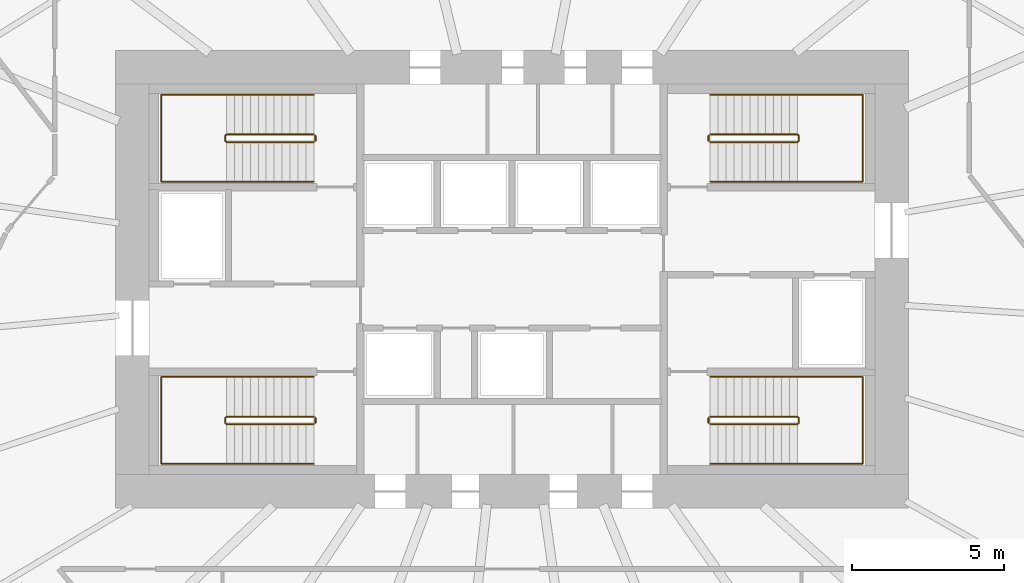
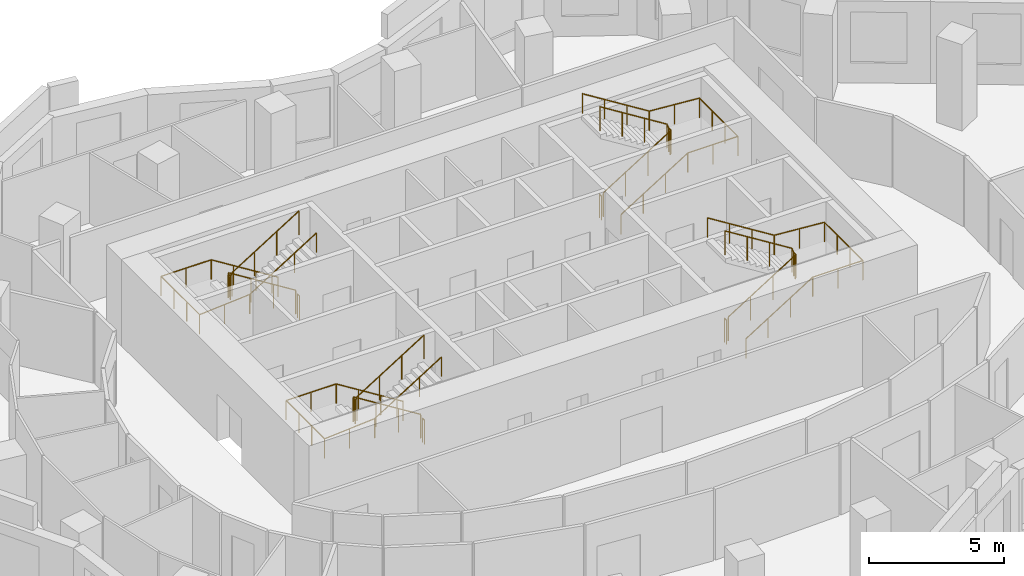
# One storey, part 10 of 10: 12 railings.
"""IFC4 building model written with IfcOpenShell, lengths in metres."""

from ifc_helpers import new_model, si_unit, direction, frame, origin, origin_2d, place, context, subcontext, project, spatial, circle, extrude, material, type_object, element, save


model = new_model("IFC4")

# Units and contexts
model_context = context("Model", 3, precision=1e-05, world=origin(), true_north=direction((0.0, 1.0)))
body_context = subcontext(model_context, "Body", "Model", "MODEL_VIEW")
ifc_project = project(units=[si_unit("LENGTHUNIT", "METRE"), si_unit("AREAUNIT", "SQUARE_METRE"), si_unit("VOLUMEUNIT", "CUBIC_METRE"), si_unit("PLANEANGLEUNIT", "RADIAN"), si_unit("MASSUNIT", "GRAM", prefix="KILO")], contexts=[model_context])

# Site, building, storey
site_placement = place(None, origin())
site = spatial("IfcSite", under=ifc_project, at=site_placement, CompositionType="ELEMENT")
building_placement = place(site_placement, origin())
building = spatial("IfcBuilding", under=site, at=building_placement, Name="Rubra Terraces Tower", CompositionType="ELEMENT")
storey_placement = place(building_placement, frame((0.0, 0.0, 157.800048828125)))
storey = spatial("IfcBuildingStorey", under=building, at=storey_placement, Name="L38", CompositionType="ELEMENT", Elevation=157.800048828125)

# Railings
ifc_material = material(Name="Stainless steel", Category="steel")
railing_type_1 = type_object("IfcRailingType", Name="Core stair guard 1100", PredefinedType="GUARDRAIL", material=ifc_material)
railing_1_placement = place(storey_placement, frame((-6.5, 0.0, 0.162353515625)))
element("IfcRailing", 1, at=railing_1_placement, inside=storey, type_object=railing_type_1, Name="L38 stair S1 guard 1", PredefinedType="GUARDRAIL", context=body_context, shape_type="SweptSolid", body=[
    extrude(circle(Radius=0.02392578125, at=origin_2d()), frame((0.0, 0.0, 1.076171875), z_axis=(-0.847994237388, 0.0, 0.530005446535), x_axis=(0.0, -1.0, 0.0)), (0.0, 0.0, 1.0), 3.372802734375),
    extrude(circle(Radius=0.02392578125, at=origin_2d()), frame((-2.860107421875, 0.0, 2.86376953125), z_axis=(-0.705375805398, -0.708833529934, 0.0), x_axis=(0.708833529934, -0.705375805398, 0.0)), (0.0, 0.0, 1.0), 0.070556640625),
    extrude(circle(Radius=0.02392578125, at=origin_2d()), frame((-2.909912109375, -0.050048828125, 2.86376953125), z_axis=(0.0, -1.0, 0.0), x_axis=(1.0, 0.0, 0.0)), (0.0, 0.0, 1.0), 0.14990234375),
    extrude(circle(Radius=0.02392578125, at=origin_2d()), frame((-2.909912109375, -0.199951171875, 2.86376953125), z_axis=(0.280959487676, -0.282336740067, 0.917250092119), x_axis=(0.708833529934, 0.705375805398, 0.0)), (0.0, 0.0, 1.0), 0.17724609375),
    extrude(circle(Radius=0.02392578125, at=origin_2d()), frame((-2.860107421875, -0.25, 3.0263671875), z_axis=(0.848026770018, 0.0, 0.529953391661), x_axis=(0.0, 1.0, 0.0)), (0.0, 0.0, 1.0), 3.37255859375),
    extrude(circle(Radius=0.02099609375, at=origin_2d()), origin(), (0.0, 0.0, 1.0), 1.052001953125),
    extrude(circle(Radius=0.02099609375, at=origin_2d()), frame((-0.953369140625, 0.0, 0.595947265625)), (0.0, 0.0, 1.0), 1.052001953125),
    extrude(circle(Radius=0.02099609375, at=origin_2d()), frame((-1.90673828125, 0.0, 1.191650390625)), (0.0, 0.0, 1.0), 1.052001953125),
    extrude(circle(Radius=0.02099609375, at=origin_2d()), frame((-2.860107421875, 0.0, 1.78759765625)), (0.0, 0.0, 1.0), 1.052001953125),
    extrude(circle(Radius=0.02099609375, at=origin_2d()), frame((-2.909912109375, -0.050048828125, 1.78759765625)), (0.0, 0.0, 1.0), 1.052001953125),
    extrude(circle(Radius=0.02099609375, at=origin_2d()), frame((-2.909912109375, -0.199951171875, 1.78759765625)), (0.0, 0.0, 1.0), 1.052001953125),
    extrude(circle(Radius=0.02099609375, at=origin_2d()), frame((-2.860107421875, -0.25, 1.9501953125)), (0.0, 0.0, 1.0), 1.052001953125),
    extrude(circle(Radius=0.02099609375, at=origin_2d()), frame((-1.90673828125, -0.25, 2.5458984375)), (0.0, 0.0, 1.0), 1.052001953125),
    extrude(circle(Radius=0.02099609375, at=origin_2d()), frame((-0.953369140625, -0.25, 3.141845703125)), (0.0, 0.0, 1.0), 1.052001953125),
    extrude(circle(Radius=0.02099609375, at=origin_2d()), frame((0.0, -0.25, 3.737548828125)), (0.0, 0.0, 1.0), 1.052001953125),
])
railing_2_placement = place(storey_placement, frame((-6.449951171875, -0.050048828125, 0.0)))
element("IfcRailing", 2, at=railing_2_placement, inside=storey, type_object=railing_type_1, Name="L38 stair S1 guard 2", PredefinedType="GUARDRAIL", context=body_context, shape_type="SweptSolid", body=[
    extrude(circle(Radius=0.02392578125, at=origin_2d()), frame((0.0, 0.0, 1.076171875), z_axis=(0.0, -1.0, 0.0), x_axis=(1.0, 0.0, 0.0)), (0.0, 0.0, 1.0), 0.14990234375),
    extrude(circle(Radius=0.02099609375, at=origin_2d()), origin(), (0.0, 0.0, 1.0), 1.052001953125),
    extrude(circle(Radius=0.02099609375, at=origin_2d()), frame((0.0, -0.14990234375, 0.0)), (0.0, 0.0, 1.0), 1.052001953125),
])
railing_3_placement = place(storey_placement, frame((-6.5, 9.25, 0.162353515625)))
element("IfcRailing", 3, at=railing_3_placement, inside=storey, type_object=railing_type_1, Name="L38 stair S2 guard 1", PredefinedType="GUARDRAIL", context=body_context, shape_type="SweptSolid", body=[
    extrude(circle(Radius=0.02392578125, at=origin_2d()), frame((0.0, 0.0, 1.076171875), z_axis=(-0.847994237388, 0.0, 0.530005446535), x_axis=(0.0, -1.0, 0.0)), (0.0, 0.0, 1.0), 3.372802734375),
    extrude(circle(Radius=0.02392578125, at=origin_2d()), frame((-2.860107421875, 0.0, 2.86376953125), z_axis=(-0.705375805398, -0.708833529934, 0.0), x_axis=(0.708833529934, -0.705375805398, 0.0)), (0.0, 0.0, 1.0), 0.070556640625),
    extrude(circle(Radius=0.02392578125, at=origin_2d()), frame((-2.909912109375, -0.050048828125, 2.86376953125), z_axis=(0.0, -1.0, 0.0), x_axis=(1.0, 0.0, 0.0)), (0.0, 0.0, 1.0), 0.14990234375),
    extrude(circle(Radius=0.02392578125, at=origin_2d()), frame((-2.909912109375, -0.199951171875, 2.86376953125), z_axis=(0.280959487676, -0.282336740067, 0.917250092119), x_axis=(0.708833529934, 0.705375805398, 0.0)), (0.0, 0.0, 1.0), 0.17724609375),
    extrude(circle(Radius=0.02392578125, at=origin_2d()), frame((-2.860107421875, -0.25, 3.0263671875), z_axis=(0.848026770018, 0.0, 0.529953391661), x_axis=(0.0, 1.0, 0.0)), (0.0, 0.0, 1.0), 3.37255859375),
    extrude(circle(Radius=0.02099609375, at=origin_2d()), origin(), (0.0, 0.0, 1.0), 1.052001953125),
    extrude(circle(Radius=0.02099609375, at=origin_2d()), frame((-0.953369140625, 0.0, 0.595947265625)), (0.0, 0.0, 1.0), 1.052001953125),
    extrude(circle(Radius=0.02099609375, at=origin_2d()), frame((-1.90673828125, 0.0, 1.191650390625)), (0.0, 0.0, 1.0), 1.052001953125),
    extrude(circle(Radius=0.02099609375, at=origin_2d()), frame((-2.860107421875, 0.0, 1.78759765625)), (0.0, 0.0, 1.0), 1.052001953125),
    extrude(circle(Radius=0.02099609375, at=origin_2d()), frame((-2.909912109375, -0.050048828125, 1.78759765625)), (0.0, 0.0, 1.0), 1.052001953125),
    extrude(circle(Radius=0.02099609375, at=origin_2d()), frame((-2.909912109375, -0.199951171875, 1.78759765625)), (0.0, 0.0, 1.0), 1.052001953125),
    extrude(circle(Radius=0.02099609375, at=origin_2d()), frame((-2.860107421875, -0.25, 1.9501953125)), (0.0, 0.0, 1.0), 1.052001953125),
    extrude(circle(Radius=0.02099609375, at=origin_2d()), frame((-1.90673828125, -0.25, 2.5458984375)), (0.0, 0.0, 1.0), 1.052001953125),
    extrude(circle(Radius=0.02099609375, at=origin_2d()), frame((-0.953369140625, -0.25, 3.141845703125)), (0.0, 0.0, 1.0), 1.052001953125),
    extrude(circle(Radius=0.02099609375, at=origin_2d()), frame((0.0, -0.25, 3.737548828125)), (0.0, 0.0, 1.0), 1.052001953125),
])
railing_4_placement = place(storey_placement, frame((-6.449951171875, 9.199951171875, 0.0)))
element("IfcRailing", 4, at=railing_4_placement, inside=storey, type_object=railing_type_1, Name="L38 stair S2 guard 2", PredefinedType="GUARDRAIL", context=body_context, shape_type="SweptSolid", body=[
    extrude(circle(Radius=0.02392578125, at=origin_2d()), frame((0.0, 0.0, 1.076171875), z_axis=(0.0, -1.0, 0.0), x_axis=(1.0, 0.0, 0.0)), (0.0, 0.0, 1.0), 0.14990234375),
    extrude(circle(Radius=0.02099609375, at=origin_2d()), origin(), (0.0, 0.0, 1.0), 1.052001953125),
    extrude(circle(Radius=0.02099609375, at=origin_2d()), frame((0.0, -0.14990234375, 0.0)), (0.0, 0.0, 1.0), 1.052001953125),
])
railing_5_placement = place(storey_placement, frame((6.5, 9.0, 0.162353515625)))
element("IfcRailing", 5, at=railing_5_placement, inside=storey, type_object=railing_type_1, Name="L38 stair S3 guard 1", PredefinedType="GUARDRAIL", context=body_context, shape_type="SweptSolid", body=[
    extrude(circle(Radius=0.02392578125, at=origin_2d()), frame((0.0, 0.0, 1.076171875), z_axis=(0.847994237388, 0.0, 0.530005446535), x_axis=(0.0, 1.0, 0.0)), (0.0, 0.0, 1.0), 3.372802734375),
    extrude(circle(Radius=0.02392578125, at=origin_2d()), frame((2.860107421875, 0.0, 2.86376953125), z_axis=(0.705375805398, 0.708833529934, 0.0), x_axis=(-0.708833529934, 0.705375805398, 0.0)), (0.0, 0.0, 1.0), 0.070556640625),
    extrude(circle(Radius=0.02392578125, at=origin_2d()), frame((2.909912109375, 0.050048828125, 2.86376953125), z_axis=(0.0, 1.0, 0.0), x_axis=(-1.0, 0.0, 0.0)), (0.0, 0.0, 1.0), 0.14990234375),
    extrude(circle(Radius=0.02392578125, at=origin_2d()), frame((2.909912109375, 0.199951171875, 2.86376953125), z_axis=(-0.280959487676, 0.282336740067, 0.917250092119), x_axis=(-0.708833529934, -0.705375805398, 0.0)), (0.0, 0.0, 1.0), 0.17724609375),
    extrude(circle(Radius=0.02392578125, at=origin_2d()), frame((2.860107421875, 0.25, 3.0263671875), z_axis=(-0.848026770018, 0.0, 0.529953391661), x_axis=(0.0, -1.0, 0.0)), (0.0, 0.0, 1.0), 3.37255859375),
    extrude(circle(Radius=0.02099609375, at=origin_2d()), origin(), (0.0, 0.0, 1.0), 1.052001953125),
    extrude(circle(Radius=0.02099609375, at=origin_2d()), frame((0.953369140625, 0.0, 0.595947265625)), (0.0, 0.0, 1.0), 1.052001953125),
    extrude(circle(Radius=0.02099609375, at=origin_2d()), frame((1.90673828125, 0.0, 1.191650390625)), (0.0, 0.0, 1.0), 1.052001953125),
    extrude(circle(Radius=0.02099609375, at=origin_2d()), frame((2.860107421875, 0.0, 1.78759765625)), (0.0, 0.0, 1.0), 1.052001953125),
    extrude(circle(Radius=0.02099609375, at=origin_2d()), frame((2.909912109375, 0.050048828125, 1.78759765625)), (0.0, 0.0, 1.0), 1.052001953125),
    extrude(circle(Radius=0.02099609375, at=origin_2d()), frame((2.909912109375, 0.199951171875, 1.78759765625)), (0.0, 0.0, 1.0), 1.052001953125),
    extrude(circle(Radius=0.02099609375, at=origin_2d()), frame((2.860107421875, 0.25, 1.9501953125)), (0.0, 0.0, 1.0), 1.052001953125),
    extrude(circle(Radius=0.02099609375, at=origin_2d()), frame((1.90673828125, 0.25, 2.5458984375)), (0.0, 0.0, 1.0), 1.052001953125),
    extrude(circle(Radius=0.02099609375, at=origin_2d()), frame((0.953369140625, 0.25, 3.141845703125)), (0.0, 0.0, 1.0), 1.052001953125),
    extrude(circle(Radius=0.02099609375, at=origin_2d()), frame((0.0, 0.25, 3.737548828125)), (0.0, 0.0, 1.0), 1.052001953125),
])
railing_6_placement = place(storey_placement, frame((6.449951171875, 9.050048828125, 0.0)))
element("IfcRailing", 6, at=railing_6_placement, inside=storey, type_object=railing_type_1, Name="L38 stair S3 guard 2", PredefinedType="GUARDRAIL", context=body_context, shape_type="SweptSolid", body=[
    extrude(circle(Radius=0.02392578125, at=origin_2d()), frame((0.0, 0.0, 1.076171875), z_axis=(0.0, 1.0, 0.0), x_axis=(-1.0, 0.0, 0.0)), (0.0, 0.0, 1.0), 0.14990234375),
    extrude(circle(Radius=0.02099609375, at=origin_2d()), origin(), (0.0, 0.0, 1.0), 1.052001953125),
    extrude(circle(Radius=0.02099609375, at=origin_2d()), frame((0.0, 0.14990234375, 0.0)), (0.0, 0.0, 1.0), 1.052001953125),
])
railing_7_placement = place(storey_placement, frame((6.5, -0.25, 0.162353515625)))
element("IfcRailing", 7, at=railing_7_placement, inside=storey, type_object=railing_type_1, Name="L38 stair S4 guard 1", PredefinedType="GUARDRAIL", context=body_context, shape_type="SweptSolid", body=[
    extrude(circle(Radius=0.02392578125, at=origin_2d()), frame((0.0, 0.0, 1.076171875), z_axis=(0.847994237388, 0.0, 0.530005446535), x_axis=(0.0, 1.0, 0.0)), (0.0, 0.0, 1.0), 3.372802734375),
    extrude(circle(Radius=0.02392578125, at=origin_2d()), frame((2.860107421875, 0.0, 2.86376953125), z_axis=(0.705375805398, 0.708833529934, 0.0), x_axis=(-0.708833529934, 0.705375805398, 0.0)), (0.0, 0.0, 1.0), 0.070556640625),
    extrude(circle(Radius=0.02392578125, at=origin_2d()), frame((2.909912109375, 0.050048828125, 2.86376953125), z_axis=(0.0, 1.0, 0.0), x_axis=(-1.0, 0.0, 0.0)), (0.0, 0.0, 1.0), 0.14990234375),
    extrude(circle(Radius=0.02392578125, at=origin_2d()), frame((2.909912109375, 0.199951171875, 2.86376953125), z_axis=(-0.280959487676, 0.282336740067, 0.917250092119), x_axis=(-0.708833529934, -0.705375805398, 0.0)), (0.0, 0.0, 1.0), 0.17724609375),
    extrude(circle(Radius=0.02392578125, at=origin_2d()), frame((2.860107421875, 0.25, 3.0263671875), z_axis=(-0.848026770018, 0.0, 0.529953391661), x_axis=(0.0, -1.0, 0.0)), (0.0, 0.0, 1.0), 3.37255859375),
    extrude(circle(Radius=0.02099609375, at=origin_2d()), origin(), (0.0, 0.0, 1.0), 1.052001953125),
    extrude(circle(Radius=0.02099609375, at=origin_2d()), frame((0.953369140625, 0.0, 0.595947265625)), (0.0, 0.0, 1.0), 1.052001953125),
    extrude(circle(Radius=0.02099609375, at=origin_2d()), frame((1.90673828125, 0.0, 1.191650390625)), (0.0, 0.0, 1.0), 1.052001953125),
    extrude(circle(Radius=0.02099609375, at=origin_2d()), frame((2.860107421875, 0.0, 1.78759765625)), (0.0, 0.0, 1.0), 1.052001953125),
    extrude(circle(Radius=0.02099609375, at=origin_2d()), frame((2.909912109375, 0.050048828125, 1.78759765625)), (0.0, 0.0, 1.0), 1.052001953125),
    extrude(circle(Radius=0.02099609375, at=origin_2d()), frame((2.909912109375, 0.199951171875, 1.78759765625)), (0.0, 0.0, 1.0), 1.052001953125),
    extrude(circle(Radius=0.02099609375, at=origin_2d()), frame((2.860107421875, 0.25, 1.9501953125)), (0.0, 0.0, 1.0), 1.052001953125),
    extrude(circle(Radius=0.02099609375, at=origin_2d()), frame((1.90673828125, 0.25, 2.5458984375)), (0.0, 0.0, 1.0), 1.052001953125),
    extrude(circle(Radius=0.02099609375, at=origin_2d()), frame((0.953369140625, 0.25, 3.141845703125)), (0.0, 0.0, 1.0), 1.052001953125),
    extrude(circle(Radius=0.02099609375, at=origin_2d()), frame((0.0, 0.25, 3.737548828125)), (0.0, 0.0, 1.0), 1.052001953125),
])
railing_8_placement = place(storey_placement, frame((6.449951171875, -0.199951171875, 0.0)))
element("IfcRailing", 8, at=railing_8_placement, inside=storey, type_object=railing_type_1, Name="L38 stair S4 guard 2", PredefinedType="GUARDRAIL", context=body_context, shape_type="SweptSolid", body=[
    extrude(circle(Radius=0.02392578125, at=origin_2d()), frame((0.0, 0.0, 1.076171875), z_axis=(0.0, 1.0, 0.0), x_axis=(-1.0, 0.0, 0.0)), (0.0, 0.0, 1.0), 0.14990234375),
    extrude(circle(Radius=0.02099609375, at=origin_2d()), origin(), (0.0, 0.0, 1.0), 1.052001953125),
    extrude(circle(Radius=0.02099609375, at=origin_2d()), frame((0.0, 0.14990234375, 0.0)), (0.0, 0.0, 1.0), 1.052001953125),
])
railing_type_2 = type_object("IfcRailingType", Name="Core stair handrail 900", PredefinedType="HANDRAIL", material=ifc_material)
railing_9_placement = place(storey_placement, frame((-6.5, 1.300048828125, 0.162353515625)))
element("IfcRailing", 9, at=railing_9_placement, inside=storey, type_object=railing_type_2, Name="L38 stair S1 handrail 1", PredefinedType="HANDRAIL", context=body_context, shape_type="SweptSolid", body=[
    extrude(circle(Radius=0.02392578125, at=origin_2d()), frame((0.0, 0.0, 0.8759765625), z_axis=(-0.847994237388, 0.0, 0.530005446535), x_axis=(0.0, -1.0, 0.0)), (0.0, 0.0, 1.0), 3.372802734375),
    extrude(circle(Radius=0.02392578125, at=origin_2d()), frame((-2.860107421875, 0.0, 2.66357421875), z_axis=(-1.0, 0.0, 0.0), x_axis=(0.0, -1.0, 0.0)), (0.0, 0.0, 1.0), 2.139892578125),
    extrude(circle(Radius=0.02392578125, at=origin_2d()), frame((-5.0, 0.0, 2.66357421875), z_axis=(0.0, -1.0, 0.0), x_axis=(1.0, 0.0, 0.0)), (0.0, 0.0, 1.0), 2.85009765625),
    extrude(circle(Radius=0.02392578125, at=origin_2d()), frame((-5.0, -2.85009765625, 2.66357421875), z_axis=(0.997125654253, 0.0, 0.075765623016), x_axis=(0.0, 1.0, 0.0)), (0.0, 0.0, 1.0), 2.14599609375),
    extrude(circle(Radius=0.02392578125, at=origin_2d()), frame((-2.860107421875, -2.85009765625, 2.826171875), z_axis=(0.848026770018, 0.0, 0.529953391661), x_axis=(0.0, 1.0, 0.0)), (0.0, 0.0, 1.0), 3.37255859375),
    extrude(circle(Radius=0.02099609375, at=origin_2d()), origin(), (0.0, 0.0, 1.0), 0.851806640625),
    extrude(circle(Radius=0.02099609375, at=origin_2d()), frame((-0.953369140625, 0.0, 0.595947265625)), (0.0, 0.0, 1.0), 0.851806640625),
    extrude(circle(Radius=0.02099609375, at=origin_2d()), frame((-1.90673828125, 0.0, 1.191650390625)), (0.0, 0.0, 1.0), 0.851806640625),
    extrude(circle(Radius=0.02099609375, at=origin_2d()), frame((-2.860107421875, 0.0, 1.78759765625)), (0.0, 0.0, 1.0), 0.851806640625),
    extrude(circle(Radius=0.02099609375, at=origin_2d()), frame((-3.93017578125, 0.0, 1.78759765625)), (0.0, 0.0, 1.0), 0.851806640625),
    extrude(circle(Radius=0.02099609375, at=origin_2d()), frame((-5.0, 0.0, 1.78759765625)), (0.0, 0.0, 1.0), 0.851806640625),
    extrude(circle(Radius=0.02099609375, at=origin_2d()), frame((-5.0, -0.949951171875, 1.78759765625)), (0.0, 0.0, 1.0), 0.851806640625),
    extrude(circle(Radius=0.02099609375, at=origin_2d()), frame((-5.0, -1.900146484375, 1.78759765625)), (0.0, 0.0, 1.0), 0.851806640625),
    extrude(circle(Radius=0.02099609375, at=origin_2d()), frame((-5.0, -2.85009765625, 1.78759765625)), (0.0, 0.0, 1.0), 0.851806640625),
    extrude(circle(Radius=0.02099609375, at=origin_2d()), frame((-3.93017578125, -2.85009765625, 1.868896484375)), (0.0, 0.0, 1.0), 0.851806640625),
    extrude(circle(Radius=0.02099609375, at=origin_2d()), frame((-2.860107421875, -2.85009765625, 1.9501953125)), (0.0, 0.0, 1.0), 0.851806640625),
    extrude(circle(Radius=0.02099609375, at=origin_2d()), frame((-1.90673828125, -2.85009765625, 2.5458984375)), (0.0, 0.0, 1.0), 0.851806640625),
    extrude(circle(Radius=0.02099609375, at=origin_2d()), frame((-0.953369140625, -2.85009765625, 3.141845703125)), (0.0, 0.0, 1.0), 0.851806640625),
    extrude(circle(Radius=0.02099609375, at=origin_2d()), frame((0.0, -2.85009765625, 3.737548828125)), (0.0, 0.0, 1.0), 0.851806640625),
])
railing_10_placement = place(storey_placement, frame((-6.5, 10.550048828125, 0.162353515625)))
element("IfcRailing", 10, at=railing_10_placement, inside=storey, type_object=railing_type_2, Name="L38 stair S2 handrail 1", PredefinedType="HANDRAIL", context=body_context, shape_type="SweptSolid", body=[
    extrude(circle(Radius=0.02392578125, at=origin_2d()), frame((0.0, 0.0, 0.8759765625), z_axis=(-0.847994237388, 0.0, 0.530005446535), x_axis=(0.0, -1.0, 0.0)), (0.0, 0.0, 1.0), 3.372802734375),
    extrude(circle(Radius=0.02392578125, at=origin_2d()), frame((-2.860107421875, 0.0, 2.66357421875), z_axis=(-1.0, 0.0, 0.0), x_axis=(0.0, -1.0, 0.0)), (0.0, 0.0, 1.0), 2.139892578125),
    extrude(circle(Radius=0.02392578125, at=origin_2d()), frame((-5.0, 0.0, 2.66357421875), z_axis=(0.0, -1.0, 0.0), x_axis=(1.0, 0.0, 0.0)), (0.0, 0.0, 1.0), 2.85009765625),
    extrude(circle(Radius=0.02392578125, at=origin_2d()), frame((-5.0, -2.85009765625, 2.66357421875), z_axis=(0.997125654253, 0.0, 0.075765623016), x_axis=(0.0, 1.0, 0.0)), (0.0, 0.0, 1.0), 2.14599609375),
    extrude(circle(Radius=0.02392578125, at=origin_2d()), frame((-2.860107421875, -2.85009765625, 2.826171875), z_axis=(0.848026770018, 0.0, 0.529953391661), x_axis=(0.0, 1.0, 0.0)), (0.0, 0.0, 1.0), 3.37255859375),
    extrude(circle(Radius=0.02099609375, at=origin_2d()), origin(), (0.0, 0.0, 1.0), 0.851806640625),
    extrude(circle(Radius=0.02099609375, at=origin_2d()), frame((-0.953369140625, 0.0, 0.595947265625)), (0.0, 0.0, 1.0), 0.851806640625),
    extrude(circle(Radius=0.02099609375, at=origin_2d()), frame((-1.90673828125, 0.0, 1.191650390625)), (0.0, 0.0, 1.0), 0.851806640625),
    extrude(circle(Radius=0.02099609375, at=origin_2d()), frame((-2.860107421875, 0.0, 1.78759765625)), (0.0, 0.0, 1.0), 0.851806640625),
    extrude(circle(Radius=0.02099609375, at=origin_2d()), frame((-3.93017578125, 0.0, 1.78759765625)), (0.0, 0.0, 1.0), 0.851806640625),
    extrude(circle(Radius=0.02099609375, at=origin_2d()), frame((-5.0, 0.0, 1.78759765625)), (0.0, 0.0, 1.0), 0.851806640625),
    extrude(circle(Radius=0.02099609375, at=origin_2d()), frame((-5.0, -0.949951171875, 1.78759765625)), (0.0, 0.0, 1.0), 0.851806640625),
    extrude(circle(Radius=0.02099609375, at=origin_2d()), frame((-5.0, -1.900146484375, 1.78759765625)), (0.0, 0.0, 1.0), 0.851806640625),
    extrude(circle(Radius=0.02099609375, at=origin_2d()), frame((-5.0, -2.85009765625, 1.78759765625)), (0.0, 0.0, 1.0), 0.851806640625),
    extrude(circle(Radius=0.02099609375, at=origin_2d()), frame((-3.93017578125, -2.85009765625, 1.868896484375)), (0.0, 0.0, 1.0), 0.851806640625),
    extrude(circle(Radius=0.02099609375, at=origin_2d()), frame((-2.860107421875, -2.85009765625, 1.9501953125)), (0.0, 0.0, 1.0), 0.851806640625),
    extrude(circle(Radius=0.02099609375, at=origin_2d()), frame((-1.90673828125, -2.85009765625, 2.5458984375)), (0.0, 0.0, 1.0), 0.851806640625),
    extrude(circle(Radius=0.02099609375, at=origin_2d()), frame((-0.953369140625, -2.85009765625, 3.141845703125)), (0.0, 0.0, 1.0), 0.851806640625),
    extrude(circle(Radius=0.02099609375, at=origin_2d()), frame((0.0, -2.85009765625, 3.737548828125)), (0.0, 0.0, 1.0), 0.851806640625),
])
railing_11_placement = place(storey_placement, frame((6.5, 7.699951171875, 0.162353515625)))
element("IfcRailing", 11, at=railing_11_placement, inside=storey, type_object=railing_type_2, Name="L38 stair S3 handrail 1", PredefinedType="HANDRAIL", context=body_context, shape_type="SweptSolid", body=[
    extrude(circle(Radius=0.02392578125, at=origin_2d()), frame((0.0, 0.0, 0.8759765625), z_axis=(0.847994237388, 0.0, 0.530005446535), x_axis=(0.0, 1.0, 0.0)), (0.0, 0.0, 1.0), 3.372802734375),
    extrude(circle(Radius=0.02392578125, at=origin_2d()), frame((2.860107421875, 0.0, 2.66357421875), z_axis=(1.0, 0.0, 0.0), x_axis=(0.0, 1.0, 0.0)), (0.0, 0.0, 1.0), 2.139892578125),
    extrude(circle(Radius=0.02392578125, at=origin_2d()), frame((5.0, 0.0, 2.66357421875), z_axis=(0.0, 1.0, 0.0), x_axis=(-1.0, 0.0, 0.0)), (0.0, 0.0, 1.0), 2.85009765625),
    extrude(circle(Radius=0.02392578125, at=origin_2d()), frame((5.0, 2.85009765625, 2.66357421875), z_axis=(-0.997125654253, 0.0, 0.075765623016), x_axis=(0.0, -1.0, 0.0)), (0.0, 0.0, 1.0), 2.14599609375),
    extrude(circle(Radius=0.02392578125, at=origin_2d()), frame((2.860107421875, 2.85009765625, 2.826171875), z_axis=(-0.848026770018, 0.0, 0.529953391661), x_axis=(0.0, -1.0, 0.0)), (0.0, 0.0, 1.0), 3.37255859375),
    extrude(circle(Radius=0.02099609375, at=origin_2d()), origin(), (0.0, 0.0, 1.0), 0.851806640625),
    extrude(circle(Radius=0.02099609375, at=origin_2d()), frame((0.953369140625, 0.0, 0.595947265625)), (0.0, 0.0, 1.0), 0.851806640625),
    extrude(circle(Radius=0.02099609375, at=origin_2d()), frame((1.90673828125, 0.0, 1.191650390625)), (0.0, 0.0, 1.0), 0.851806640625),
    extrude(circle(Radius=0.02099609375, at=origin_2d()), frame((2.860107421875, 0.0, 1.78759765625)), (0.0, 0.0, 1.0), 0.851806640625),
    extrude(circle(Radius=0.02099609375, at=origin_2d()), frame((3.93017578125, 0.0, 1.78759765625)), (0.0, 0.0, 1.0), 0.851806640625),
    extrude(circle(Radius=0.02099609375, at=origin_2d()), frame((5.0, 0.0, 1.78759765625)), (0.0, 0.0, 1.0), 0.851806640625),
    extrude(circle(Radius=0.02099609375, at=origin_2d()), frame((5.0, 0.949951171875, 1.78759765625)), (0.0, 0.0, 1.0), 0.851806640625),
    extrude(circle(Radius=0.02099609375, at=origin_2d()), frame((5.0, 1.900146484375, 1.78759765625)), (0.0, 0.0, 1.0), 0.851806640625),
    extrude(circle(Radius=0.02099609375, at=origin_2d()), frame((5.0, 2.85009765625, 1.78759765625)), (0.0, 0.0, 1.0), 0.851806640625),
    extrude(circle(Radius=0.02099609375, at=origin_2d()), frame((3.93017578125, 2.85009765625, 1.868896484375)), (0.0, 0.0, 1.0), 0.851806640625),
    extrude(circle(Radius=0.02099609375, at=origin_2d()), frame((2.860107421875, 2.85009765625, 1.9501953125)), (0.0, 0.0, 1.0), 0.851806640625),
    extrude(circle(Radius=0.02099609375, at=origin_2d()), frame((1.90673828125, 2.85009765625, 2.5458984375)), (0.0, 0.0, 1.0), 0.851806640625),
    extrude(circle(Radius=0.02099609375, at=origin_2d()), frame((0.953369140625, 2.85009765625, 3.141845703125)), (0.0, 0.0, 1.0), 0.851806640625),
    extrude(circle(Radius=0.02099609375, at=origin_2d()), frame((0.0, 2.85009765625, 3.737548828125)), (0.0, 0.0, 1.0), 0.851806640625),
])
railing_12_placement = place(storey_placement, frame((6.5, -1.550048828125, 0.162353515625)))
element("IfcRailing", 12, at=railing_12_placement, inside=storey, type_object=railing_type_2, Name="L38 stair S4 handrail 1", PredefinedType="HANDRAIL", context=body_context, shape_type="SweptSolid", body=[
    extrude(circle(Radius=0.02392578125, at=origin_2d()), frame((0.0, 0.0, 0.8759765625), z_axis=(0.847994237388, 0.0, 0.530005446535), x_axis=(0.0, 1.0, 0.0)), (0.0, 0.0, 1.0), 3.372802734375),
    extrude(circle(Radius=0.02392578125, at=origin_2d()), frame((2.860107421875, 0.0, 2.66357421875), z_axis=(1.0, 0.0, 0.0), x_axis=(0.0, 1.0, 0.0)), (0.0, 0.0, 1.0), 2.139892578125),
    extrude(circle(Radius=0.02392578125, at=origin_2d()), frame((5.0, 0.0, 2.66357421875), z_axis=(0.0, 1.0, 0.0), x_axis=(-1.0, 0.0, 0.0)), (0.0, 0.0, 1.0), 2.85009765625),
    extrude(circle(Radius=0.02392578125, at=origin_2d()), frame((5.0, 2.85009765625, 2.66357421875), z_axis=(-0.997125654253, 0.0, 0.075765623016), x_axis=(0.0, -1.0, 0.0)), (0.0, 0.0, 1.0), 2.14599609375),
    extrude(circle(Radius=0.02392578125, at=origin_2d()), frame((2.860107421875, 2.85009765625, 2.826171875), z_axis=(-0.848026770018, 0.0, 0.529953391661), x_axis=(0.0, -1.0, 0.0)), (0.0, 0.0, 1.0), 3.37255859375),
    extrude(circle(Radius=0.02099609375, at=origin_2d()), origin(), (0.0, 0.0, 1.0), 0.851806640625),
    extrude(circle(Radius=0.02099609375, at=origin_2d()), frame((0.953369140625, 0.0, 0.595947265625)), (0.0, 0.0, 1.0), 0.851806640625),
    extrude(circle(Radius=0.02099609375, at=origin_2d()), frame((1.90673828125, 0.0, 1.191650390625)), (0.0, 0.0, 1.0), 0.851806640625),
    extrude(circle(Radius=0.02099609375, at=origin_2d()), frame((2.860107421875, 0.0, 1.78759765625)), (0.0, 0.0, 1.0), 0.851806640625),
    extrude(circle(Radius=0.02099609375, at=origin_2d()), frame((3.93017578125, 0.0, 1.78759765625)), (0.0, 0.0, 1.0), 0.851806640625),
    extrude(circle(Radius=0.02099609375, at=origin_2d()), frame((5.0, 0.0, 1.78759765625)), (0.0, 0.0, 1.0), 0.851806640625),
    extrude(circle(Radius=0.02099609375, at=origin_2d()), frame((5.0, 0.949951171875, 1.78759765625)), (0.0, 0.0, 1.0), 0.851806640625),
    extrude(circle(Radius=0.02099609375, at=origin_2d()), frame((5.0, 1.900146484375, 1.78759765625)), (0.0, 0.0, 1.0), 0.851806640625),
    extrude(circle(Radius=0.02099609375, at=origin_2d()), frame((5.0, 2.85009765625, 1.78759765625)), (0.0, 0.0, 1.0), 0.851806640625),
    extrude(circle(Radius=0.02099609375, at=origin_2d()), frame((3.93017578125, 2.85009765625, 1.868896484375)), (0.0, 0.0, 1.0), 0.851806640625),
    extrude(circle(Radius=0.02099609375, at=origin_2d()), frame((2.860107421875, 2.85009765625, 1.9501953125)), (0.0, 0.0, 1.0), 0.851806640625),
    extrude(circle(Radius=0.02099609375, at=origin_2d()), frame((1.90673828125, 2.85009765625, 2.5458984375)), (0.0, 0.0, 1.0), 0.851806640625),
    extrude(circle(Radius=0.02099609375, at=origin_2d()), frame((0.953369140625, 2.85009765625, 3.141845703125)), (0.0, 0.0, 1.0), 0.851806640625),
    extrude(circle(Radius=0.02099609375, at=origin_2d()), frame((0.0, 2.85009765625, 3.737548828125)), (0.0, 0.0, 1.0), 0.851806640625),
])

save(model, "model.ifc")
